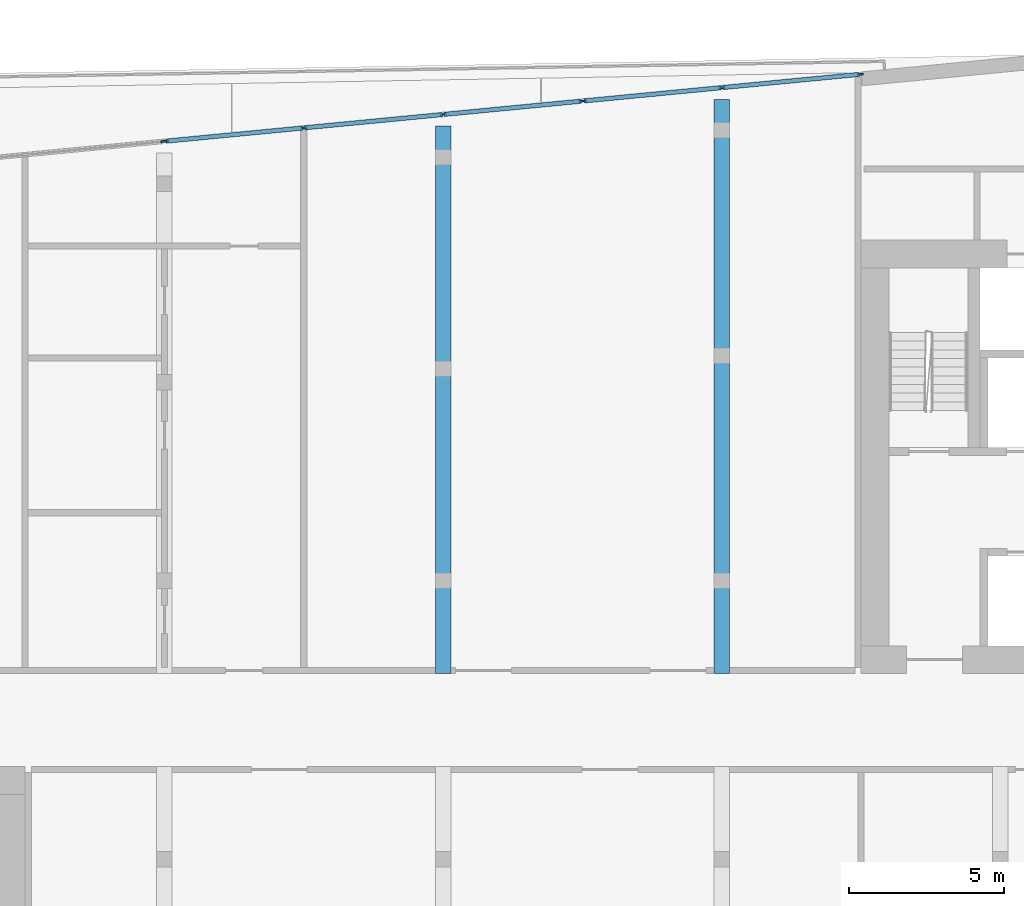
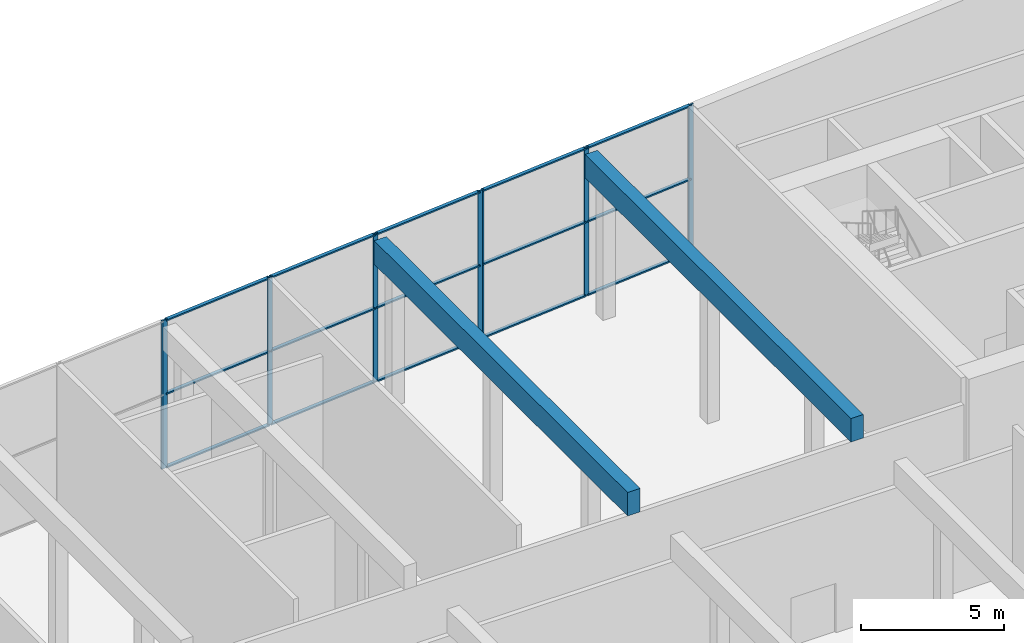
# One storey, part 6 of 24: 23 members, 2 beams, 3 elements without a shape of their own.
"""IFC4 building model written with IfcOpenShell, lengths in metres."""

from ifc_helpers import new_model, si_unit, direction, frame, origin, origin_2d, place, context, subcontext, project, spatial, rectangle, extrude, material, material_profile, profile_set, type_object, element, aggregate, save


model = new_model("IFC4")

# Units and contexts
model_context = context("Model", 3, precision=1e-05, world=origin(), true_north=direction((0.0, 1.0)))
body_context = subcontext(model_context, "Body", "Model", "MODEL_VIEW")
ifc_project = project(units=[si_unit("LENGTHUNIT", "METRE"), si_unit("AREAUNIT", "SQUARE_METRE"), si_unit("VOLUMEUNIT", "CUBIC_METRE"), si_unit("PLANEANGLEUNIT", "RADIAN"), si_unit("MASSUNIT", "GRAM", prefix="KILO")], contexts=[model_context])

# Site, building, storey
site_placement = place(None, origin())
site = spatial("IfcSite", under=ifc_project, at=site_placement, CompositionType="ELEMENT")
building_placement = place(site_placement, origin())
building = spatial("IfcBuilding", under=site, at=building_placement, Name="Kajstack Hotel Tower", CompositionType="ELEMENT")
storey_placement = place(building_placement, frame((0.0, 0.0, 261.89990234375)))
storey = spatial("IfcBuildingStorey", under=building, at=storey_placement, Name="L65", CompositionType="ELEMENT", Elevation=261.89990234375)

# Curtain wall, members
ifc_material_1 = material(Name="Aluminium-framed curtain wall, low-iron insulated glass", Category="aluminium")
curtain_wall_type = type_object("IfcCurtainWallType", Name="CW-GARDEN", PredefinedType="NOTDEFINED", material=ifc_material_1)
curtain_wall_1_placement = place(storey_placement, origin())
curtain_wall_1 = element("IfcCurtainWall", 1, at=curtain_wall_1_placement, inside=storey, type_object=curtain_wall_type, Name="Curtain wall CU6 L65-12-01-0", PredefinedType="NOTDEFINED")
ifc_material_2 = material(Name="Aluminium", Category="aluminium")
ifc_material_profile_1 = material_profile(ifc_material_2, rectangle(XDim=0.06005859375, YDim=0.199951171875, at=origin_2d()), Name="Aluminium mullion 60 x 200")
ifc_profile_set_1 = profile_set([ifc_material_profile_1], Name="Aluminium")
member_type_1 = type_object("IfcMemberType", Name="CW-M-GARDEN", PredefinedType="MULLION", material=ifc_profile_set_1)
member_1_placement = place(storey_placement, frame((13.477294921875, 20.859375, 0.0), z_axis=(0.0, 0.0, 1.0), x_axis=(0.095846251263, -0.995396150344, 0.0)))
member_1 = element("IfcMember", 2, at=member_1_placement, type_object=member_type_1, Name="CU6 mullion 1", PredefinedType="MULLION", context=body_context, shape_type="SweptSolid", body=[
    extrude(rectangle(XDim=0.06005859375, YDim=0.199951171875, at=origin_2d()), origin(), (0.0, 0.0, 1.0), 6.320068359375),
])
member_2_placement = place(storey_placement, frame((9.00732421875, 20.428955078125, 0.0), z_axis=(0.0, 0.0, 1.0), x_axis=(0.095846251263, -0.995396150344, 0.0)))
member_2 = element("IfcMember", 3, at=member_2_placement, type_object=member_type_1, Name="CU6 mullion 2", PredefinedType="MULLION", context=body_context, shape_type="SweptSolid", body=[
    extrude(rectangle(XDim=0.06005859375, YDim=0.199951171875, at=origin_2d()), origin(), (0.0, 0.0, 1.0), 6.320068359375),
])
member_3_placement = place(storey_placement, frame((4.537109375, 19.99853515625, 0.0), z_axis=(0.0, 0.0, 1.0), x_axis=(0.095846251263, -0.995396150344, 0.0)))
member_3 = element("IfcMember", 4, at=member_3_placement, type_object=member_type_1, Name="CU6 mullion 3", PredefinedType="MULLION", context=body_context, shape_type="SweptSolid", body=[
    extrude(rectangle(XDim=0.06005859375, YDim=0.199951171875, at=origin_2d()), origin(), (0.0, 0.0, 1.0), 6.320068359375),
])

curtain_wall_2_placement = place(storey_placement, origin())
curtain_wall_2 = element("IfcCurtainWall", 5, at=curtain_wall_2_placement, inside=storey, type_object=curtain_wall_type, Name="Curtain wall CU6 L65-12-01-1", PredefinedType="NOTDEFINED")
member_4_placement = place(storey_placement, frame((4.477294921875, 19.99267578125, 0.0), z_axis=(0.0, 0.0, 1.0), x_axis=(0.09584623832, -0.99539615159, 0.0)))
member_4 = element("IfcMember", 6, at=member_4_placement, type_object=member_type_1, Name="CU6 mullion 1", PredefinedType="MULLION", context=body_context, shape_type="SweptSolid", body=[
    extrude(rectangle(XDim=0.06005859375, YDim=0.199951171875, at=origin_2d()), origin(), (0.0, 0.0, 1.0), 6.320068359375),
])
member_5_placement = place(storey_placement, frame((0.007080078125, 19.562255859375, 0.0), z_axis=(0.0, 0.0, 1.0), x_axis=(0.09584623832, -0.99539615159, 0.0)))
member_5 = element("IfcMember", 7, at=member_5_placement, type_object=member_type_1, Name="CU6 mullion 2", PredefinedType="MULLION", context=body_context, shape_type="SweptSolid", body=[
    extrude(rectangle(XDim=0.06005859375, YDim=0.199951171875, at=origin_2d()), origin(), (0.0, 0.0, 1.0), 6.320068359375),
])
member_6_placement = place(storey_placement, frame((-4.492919921875, 19.12890625, 0.0), z_axis=(0.0, 0.0, 1.0), x_axis=(0.09584623832, -0.99539615159, 0.0)))
member_6 = element("IfcMember", 8, at=member_6_placement, type_object=member_type_1, Name="CU6 mullion 3", PredefinedType="MULLION", context=body_context, shape_type="SweptSolid", body=[
    extrude(rectangle(XDim=0.06005859375, YDim=0.199951171875, at=origin_2d()), origin(), (0.0, 0.0, 1.0), 6.320068359375),
])
member_7_placement = place(storey_placement, frame((-8.962890625, 18.698486328125, 0.0), z_axis=(0.0, 0.0, 1.0), x_axis=(0.09584623832, -0.99539615159, 0.0)))
member_7 = element("IfcMember", 9, at=member_7_placement, type_object=member_type_1, Name="CU6 mullion 4", PredefinedType="MULLION", context=body_context, shape_type="SweptSolid", body=[
    extrude(rectangle(XDim=0.06005859375, YDim=0.199951171875, at=origin_2d()), origin(), (0.0, 0.0, 1.0), 6.320068359375),
])

# Curtain wall, member
curtain_wall_3_placement = place(storey_placement, origin())
curtain_wall_3 = element("IfcCurtainWall", 10, at=curtain_wall_3_placement, inside=storey, type_object=curtain_wall_type, Name="Curtain wall CU6 L65-12-01-2", PredefinedType="NOTDEFINED")
member_8_placement = place(storey_placement, frame((-9.022705078125, 18.69287109375, 0.0), z_axis=(0.0, 0.0, 1.0), x_axis=(0.095846360834, -0.995396139793, 0.0)))
member_8 = element("IfcMember", 11, at=member_8_placement, type_object=member_type_1, Name="CU6 mullion 1", PredefinedType="MULLION", context=body_context, shape_type="SweptSolid", body=[
    extrude(rectangle(XDim=0.06005859375, YDim=0.199951171875, at=origin_2d()), origin(), (0.0, 0.0, 1.0), 6.320068359375),
])
aggregate(curtain_wall_3, [member_8])

# Member
ifc_material_profile_2 = material_profile(ifc_material_2, rectangle(XDim=0.139892578125, YDim=0.06005859375, at=origin_2d()), Name="Aluminium transom 140 x 60")
ifc_profile_set_2 = profile_set([ifc_material_profile_2], Name="Aluminium")
member_type_2 = type_object("IfcMemberType", Name="CW-T-GARDEN", PredefinedType="USERDEFINED", material=ifc_profile_set_2)
member_9_placement = place(storey_placement, frame((13.447509765625, 20.8564453125, 0.030029296875), z_axis=(-0.995393367938, -0.095875143106, 0.0), x_axis=(0.095875143106, -0.995393367938, 0.0)))
member_9 = element("IfcMember", 12, at=member_9_placement, type_object=member_type_2, Name="CU6 transom 1.1", ObjectType="TRANSOM", PredefinedType="USERDEFINED", context=body_context, shape_type="SweptSolid", body=[
    extrude(rectangle(XDim=0.139892578125, YDim=0.06005859375, at=origin_2d()), origin(), (0.0, 0.0, 1.0), 4.430908203125),
])

member_10_placement = place(storey_placement, frame((13.447509765625, 20.8564453125, 3.16015625), z_axis=(-0.995393367938, -0.095875143106, 0.0), x_axis=(0.095875143106, -0.995393367938, 0.0)))
member_10 = element("IfcMember", 13, at=member_10_placement, type_object=member_type_2, Name="CU6 transom 1.2", ObjectType="TRANSOM", PredefinedType="USERDEFINED", context=body_context, shape_type="SweptSolid", body=[
    extrude(rectangle(XDim=0.139892578125, YDim=0.06005859375, at=origin_2d()), origin(), (0.0, 0.0, 1.0), 4.430908203125),
])

member_11_placement = place(storey_placement, frame((13.447509765625, 20.8564453125, 6.2900390625), z_axis=(-0.995393367938, -0.095875143106, 0.0), x_axis=(0.095875143106, -0.995393367938, 0.0)))
member_11 = element("IfcMember", 14, at=member_11_placement, type_object=member_type_2, Name="CU6 transom 1.3", ObjectType="TRANSOM", PredefinedType="USERDEFINED", context=body_context, shape_type="SweptSolid", body=[
    extrude(rectangle(XDim=0.139892578125, YDim=0.06005859375, at=origin_2d()), origin(), (0.0, 0.0, 1.0), 4.430908203125),
])

member_12_placement = place(storey_placement, frame((8.977294921875, 20.426025390625, 0.030029296875), z_axis=(-0.995393367938, -0.095875143106, 0.0), x_axis=(0.095875143106, -0.995393367938, 0.0)))
member_12 = element("IfcMember", 15, at=member_12_placement, type_object=member_type_2, Name="CU6 transom 2.1", ObjectType="TRANSOM", PredefinedType="USERDEFINED", context=body_context, shape_type="SweptSolid", body=[
    extrude(rectangle(XDim=0.139892578125, YDim=0.06005859375, at=origin_2d()), origin(), (0.0, 0.0, 1.0), 4.430908203125),
])

member_13_placement = place(storey_placement, frame((8.977294921875, 20.426025390625, 3.16015625), z_axis=(-0.995393367938, -0.095875143106, 0.0), x_axis=(0.095875143106, -0.995393367938, 0.0)))
member_13 = element("IfcMember", 16, at=member_13_placement, type_object=member_type_2, Name="CU6 transom 2.2", ObjectType="TRANSOM", PredefinedType="USERDEFINED", context=body_context, shape_type="SweptSolid", body=[
    extrude(rectangle(XDim=0.139892578125, YDim=0.06005859375, at=origin_2d()), origin(), (0.0, 0.0, 1.0), 4.430908203125),
])

member_14_placement = place(storey_placement, frame((8.977294921875, 20.426025390625, 6.2900390625), z_axis=(-0.995393367938, -0.095875143106, 0.0), x_axis=(0.095875143106, -0.995393367938, 0.0)))
member_14 = element("IfcMember", 17, at=member_14_placement, type_object=member_type_2, Name="CU6 transom 2.3", ObjectType="TRANSOM", PredefinedType="USERDEFINED", context=body_context, shape_type="SweptSolid", body=[
    extrude(rectangle(XDim=0.139892578125, YDim=0.06005859375, at=origin_2d()), origin(), (0.0, 0.0, 1.0), 4.430908203125),
])

aggregate(curtain_wall_1, [member_1, member_2, member_3, member_9, member_10, member_11, member_12, member_13, member_14])

member_15_placement = place(storey_placement, frame((4.447509765625, 19.98974609375, 0.030029296875), z_axis=(-0.995398624916, -0.095820548504, 0.0), x_axis=(0.095820548504, -0.995398624916, 0.0)))
member_15 = element("IfcMember", 18, at=member_15_placement, type_object=member_type_2, Name="CU6 transom 1.1", ObjectType="TRANSOM", PredefinedType="USERDEFINED", context=body_context, shape_type="SweptSolid", body=[
    extrude(rectangle(XDim=0.139892578125, YDim=0.06005859375, at=origin_2d()), origin(), (0.0, 0.0, 1.0), 4.430908203125),
])

member_16_placement = place(storey_placement, frame((4.447509765625, 19.98974609375, 3.16015625), z_axis=(-0.995398624916, -0.095820548504, 0.0), x_axis=(0.095820548504, -0.995398624916, 0.0)))
member_16 = element("IfcMember", 19, at=member_16_placement, type_object=member_type_2, Name="CU6 transom 1.2", ObjectType="TRANSOM", PredefinedType="USERDEFINED", context=body_context, shape_type="SweptSolid", body=[
    extrude(rectangle(XDim=0.139892578125, YDim=0.06005859375, at=origin_2d()), origin(), (0.0, 0.0, 1.0), 4.430908203125),
])

member_17_placement = place(storey_placement, frame((4.447509765625, 19.98974609375, 6.2900390625), z_axis=(-0.995398624916, -0.095820548504, 0.0), x_axis=(0.095820548504, -0.995398624916, 0.0)))
member_17 = element("IfcMember", 20, at=member_17_placement, type_object=member_type_2, Name="CU6 transom 1.3", ObjectType="TRANSOM", PredefinedType="USERDEFINED", context=body_context, shape_type="SweptSolid", body=[
    extrude(rectangle(XDim=0.139892578125, YDim=0.06005859375, at=origin_2d()), origin(), (0.0, 0.0, 1.0), 4.430908203125),
])

member_18_placement = place(storey_placement, frame((-0.022705078125, 19.559326171875, 0.030029296875), z_axis=(-0.995397289199, -0.095834423126, 0.0), x_axis=(0.095834423126, -0.995397289199, 0.0)))
member_18 = element("IfcMember", 21, at=member_18_placement, type_object=member_type_2, Name="CU6 transom 2.1", ObjectType="TRANSOM", PredefinedType="USERDEFINED", context=body_context, shape_type="SweptSolid", body=[
    extrude(rectangle(XDim=0.139892578125, YDim=0.06005859375, at=origin_2d()), origin(), (0.0, 0.0, 1.0), 4.460693359375),
])

member_19_placement = place(storey_placement, frame((-0.022705078125, 19.559326171875, 3.16015625), z_axis=(-0.995397289199, -0.095834423126, 0.0), x_axis=(0.095834423126, -0.995397289199, 0.0)))
member_19 = element("IfcMember", 22, at=member_19_placement, type_object=member_type_2, Name="CU6 transom 2.2", ObjectType="TRANSOM", PredefinedType="USERDEFINED", context=body_context, shape_type="SweptSolid", body=[
    extrude(rectangle(XDim=0.139892578125, YDim=0.06005859375, at=origin_2d()), origin(), (0.0, 0.0, 1.0), 4.460693359375),
])

member_20_placement = place(storey_placement, frame((-0.022705078125, 19.559326171875, 6.2900390625), z_axis=(-0.995397289199, -0.095834423126, 0.0), x_axis=(0.095834423126, -0.995397289199, 0.0)))
member_20 = element("IfcMember", 23, at=member_20_placement, type_object=member_type_2, Name="CU6 transom 2.3", ObjectType="TRANSOM", PredefinedType="USERDEFINED", context=body_context, shape_type="SweptSolid", body=[
    extrude(rectangle(XDim=0.139892578125, YDim=0.06005859375, at=origin_2d()), origin(), (0.0, 0.0, 1.0), 4.460693359375),
])

member_21_placement = place(storey_placement, frame((-4.522705078125, 19.1259765625, 0.030029296875), z_axis=(-0.995398624916, -0.095820548504, 0.0), x_axis=(0.095820548504, -0.995398624916, 0.0)))
member_21 = element("IfcMember", 24, at=member_21_placement, type_object=member_type_2, Name="CU6 transom 3.1", ObjectType="TRANSOM", PredefinedType="USERDEFINED", context=body_context, shape_type="SweptSolid", body=[
    extrude(rectangle(XDim=0.139892578125, YDim=0.06005859375, at=origin_2d()), origin(), (0.0, 0.0, 1.0), 4.430908203125),
])

member_22_placement = place(storey_placement, frame((-4.522705078125, 19.1259765625, 3.16015625), z_axis=(-0.995398624916, -0.095820548504, 0.0), x_axis=(0.095820548504, -0.995398624916, 0.0)))
member_22 = element("IfcMember", 25, at=member_22_placement, type_object=member_type_2, Name="CU6 transom 3.2", ObjectType="TRANSOM", PredefinedType="USERDEFINED", context=body_context, shape_type="SweptSolid", body=[
    extrude(rectangle(XDim=0.139892578125, YDim=0.06005859375, at=origin_2d()), origin(), (0.0, 0.0, 1.0), 4.430908203125),
])

member_23_placement = place(storey_placement, frame((-4.522705078125, 19.1259765625, 6.2900390625), z_axis=(-0.995398624916, -0.095820548504, 0.0), x_axis=(0.095820548504, -0.995398624916, 0.0)))
member_23 = element("IfcMember", 26, at=member_23_placement, type_object=member_type_2, Name="CU6 transom 3.3", ObjectType="TRANSOM", PredefinedType="USERDEFINED", context=body_context, shape_type="SweptSolid", body=[
    extrude(rectangle(XDim=0.139892578125, YDim=0.06005859375, at=origin_2d()), origin(), (0.0, 0.0, 1.0), 4.430908203125),
])

aggregate(curtain_wall_2, [member_4, member_5, member_6, member_7, member_15, member_16, member_17, member_18, member_19, member_20, member_21, member_22, member_23])

# Beams
ifc_material_3 = material(Name="Concrete C60/75", Category="concrete")
ifc_material_profile_3 = material_profile(ifc_material_3, rectangle(XDim=0.5, YDim=1.0, at=origin_2d()), Name="RC 500x1000")
ifc_profile_set_3 = profile_set([ifc_material_profile_3], Name="Concrete C60/75")
beam_type = type_object("IfcBeamType", Name="TG5 RC 500x1000 C60/75", PredefinedType="BEAM", material=ifc_profile_set_3)
beam_1_placement = place(storey_placement, frame((0.0, 1.5, 5.820068359375), z_axis=(0.0, 1.0, 0.0), x_axis=(-1.0, 0.0, 0.0)))
element("IfcBeam", 27, at=beam_1_placement, inside=storey, type_object=beam_type, Name="S-girder-L65-+0p0-2", PredefinedType="BEAM", context=body_context, shape_type="SweptSolid", body=[
    extrude(rectangle(XDim=0.5, YDim=1.0, at=origin_2d()), origin(), (0.0, 0.0, 1.0), 17.684814453125),
])
beam_2_placement = place(storey_placement, frame((9.0, 1.5, 5.820068359375), z_axis=(0.0, 1.0, 0.0), x_axis=(-1.0, 0.0, 0.0)))
element("IfcBeam", 28, at=beam_2_placement, inside=storey, type_object=beam_type, Name="S-girder-L65-+9p0-2", PredefinedType="BEAM", context=body_context, shape_type="SweptSolid", body=[
    extrude(rectangle(XDim=0.5, YDim=1.0, at=origin_2d()), origin(), (0.0, 0.0, 1.0), 18.551513671875),
])

save(model, "model.ifc")
